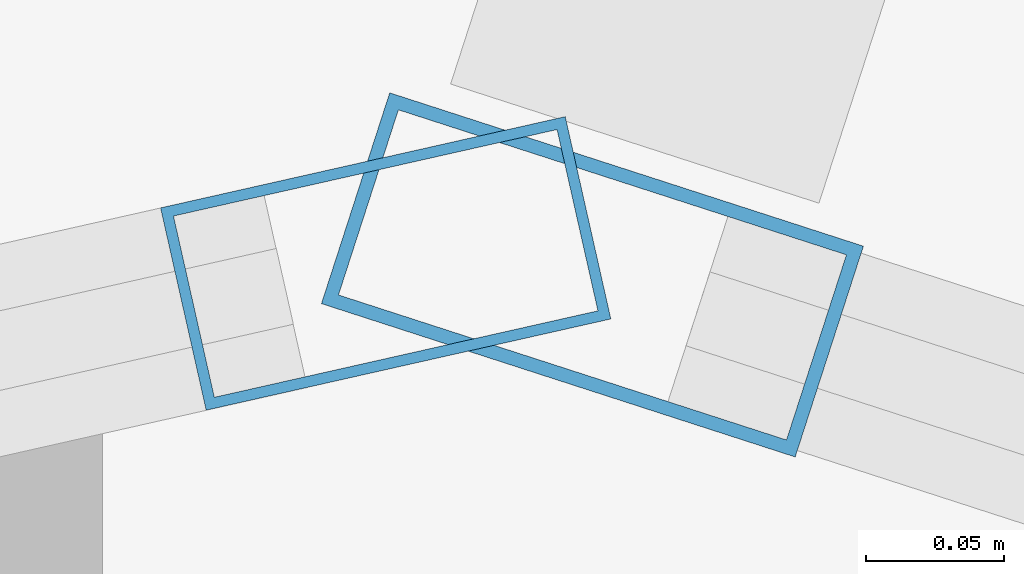
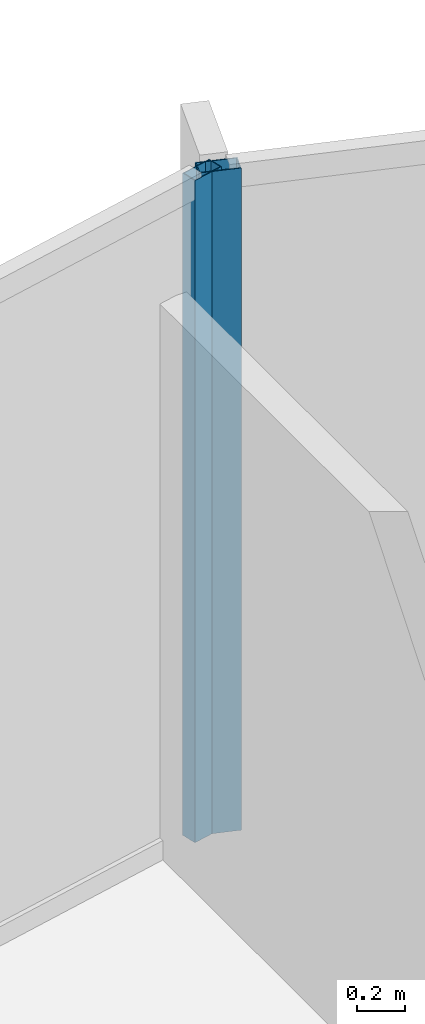
# One storey, part 21 of 33: 2 members, 2 elements without a shape of their own.
"""IFC4 building model written with IfcOpenShell, lengths in metres."""

from ifc_helpers import new_model, si_unit, direction, frame, origin, origin_2d, place, context, subcontext, project, spatial, hollow_rectangle, extrude, material, layer, layer_set, material_profile, profile_set, type_object, element, aggregate, save


model = new_model("IFC4")

# Units and contexts
model_context = context("Model", 3, precision=1e-05, world=origin(), true_north=direction((0.0, 1.0)))
body_context = subcontext(model_context, "Body", "Model", "MODEL_VIEW")
ifc_project = project(units=[si_unit("LENGTHUNIT", "METRE"), si_unit("AREAUNIT", "SQUARE_METRE"), si_unit("VOLUMEUNIT", "CUBIC_METRE"), si_unit("PLANEANGLEUNIT", "RADIAN"), si_unit("MASSUNIT", "GRAM", prefix="KILO")], contexts=[model_context])

# Site, building, storey
site_placement = place(None, origin())
site = spatial("IfcSite", under=ifc_project, at=site_placement, CompositionType="ELEMENT")
building_placement = place(site_placement, origin())
building = spatial("IfcBuilding", under=site, at=building_placement, Name="Kazevale Care Tower and Concert Hall", CompositionType="ELEMENT")
storey_placement = place(building_placement, frame((0.0, 0.0, 49.199951171875)))
storey = spatial("IfcBuildingStorey", under=building, at=storey_placement, Name="L12", CompositionType="ELEMENT", Elevation=49.199951171875)

# Curtain wall, member
ifc_material_1 = material(Name="Aluminium 6063-T6 and Low-E Glass", Category="aluminium")
ifc_layer_1 = layer(ifc_material_1, 0.179931640625)
ifc_layer_set_1 = layer_set([ifc_layer_1], Name="Aluminium 6063-T6 and Low-E Glass")
curtain_wall_type_1 = type_object("IfcCurtainWallType", Name="Convex Checkerboard Finned Curtain Wall CW-2", PredefinedType="NOTDEFINED", material=ifc_layer_set_1)
curtain_wall_1_placement = place(storey_placement, origin())
curtain_wall_1 = element("IfcCurtainWall", 1, at=curtain_wall_1_placement, inside=storey, type_object=curtain_wall_type_1, Name="cw:L12:f16", PredefinedType="NOTDEFINED")
ifc_material_2 = material(Name="Aluminium 6063-T6", Category="aluminium")
ifc_material_profile_1 = material_profile(ifc_material_2, hollow_rectangle(XDim=0.080078125, YDim=0.179931640625, WallThickness=0.0048828125, at=origin_2d()), Name="ALU80x180x5")
ifc_profile_set_1 = profile_set([ifc_material_profile_1], Name="Aluminium 6063-T6")
member_type_1 = type_object("IfcMemberType", Name="CW-2 Mullion ALU80x180x5", PredefinedType="MULLION", material=ifc_profile_set_1)
member_1_placement = place(storey_placement, frame((44.9970703125, 67.355712890625, 0.0), z_axis=(0.0, 0.0, 1.0), x_axis=(0.307925769029, 0.951410385043, 0.0)))
member_1 = element("IfcMember", 2, at=member_1_placement, type_object=member_type_1, Name="CW-2 mullion 1", PredefinedType="MULLION", context=body_context, shape_type="SweptSolid", body=[
    extrude(hollow_rectangle(XDim=0.080078125, YDim=0.179931640625, WallThickness=0.0048828125, at=origin_2d()), origin(), (0.0, 0.0, 1.0), 3.360107421875),
])
aggregate(curtain_wall_1, [member_1])

ifc_layer_2 = layer(ifc_material_1, 0.179931640625)
ifc_layer_set_2 = layer_set([ifc_layer_2], Name="Aluminium 6063-T6 and Low-E Glass")
curtain_wall_type_2 = type_object("IfcCurtainWallType", Name="Convex Recessed Sunroom Curtain Wall CW-3", PredefinedType="NOTDEFINED", material=ifc_layer_set_2)
curtain_wall_2_placement = place(storey_placement, origin())
curtain_wall_2 = element("IfcCurtainWall", 3, at=curtain_wall_2_placement, inside=storey, type_object=curtain_wall_type_2, Name="cw:L12:f15", PredefinedType="NOTDEFINED")
ifc_material_profile_2 = material_profile(ifc_material_2, hollow_rectangle(XDim=0.074951171875, YDim=0.14990234375, WallThickness=0.00390625, at=origin_2d()), Name="ALU75x150x4")
ifc_profile_set_2 = profile_set([ifc_material_profile_2], Name="Aluminium 6063-T6")
member_type_2 = type_object("IfcMemberType", Name="CW-3 Mullion ALU75x150x4", PredefinedType="MULLION", material=ifc_profile_set_2)
member_2_placement = place(storey_placement, frame((44.92236328125, 67.35986328125, 0.0), z_axis=(0.0, 0.0, 1.0), x_axis=(-0.219910670667, 0.975520013596, 0.0)))
member_2 = element("IfcMember", 4, at=member_2_placement, type_object=member_type_2, Name="CW-3 mullion 2", PredefinedType="MULLION", context=body_context, shape_type="SweptSolid", body=[
    extrude(hollow_rectangle(XDim=0.074951171875, YDim=0.14990234375, WallThickness=0.00390625, at=origin_2d()), origin(), (0.0, 0.0, 1.0), 3.360107421875),
])
aggregate(curtain_wall_2, [member_2])

save(model, "model.ifc")
